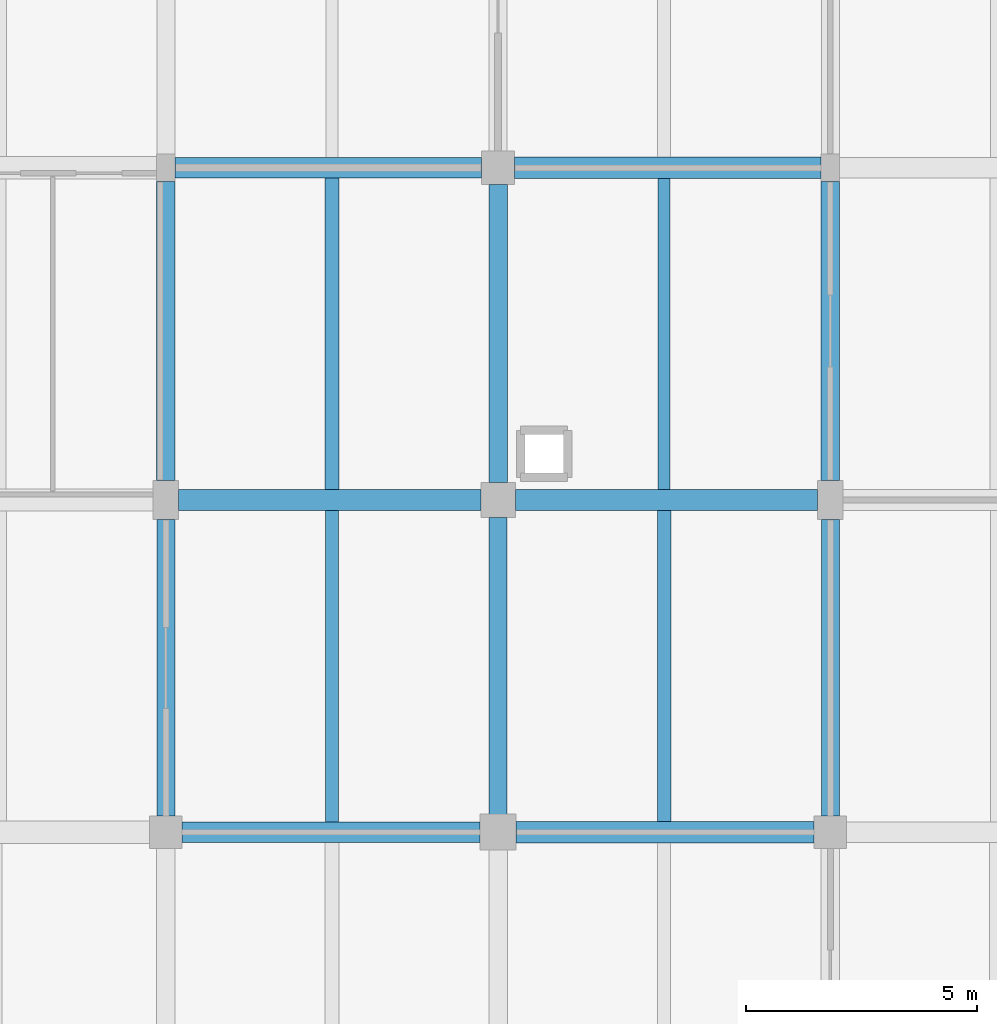
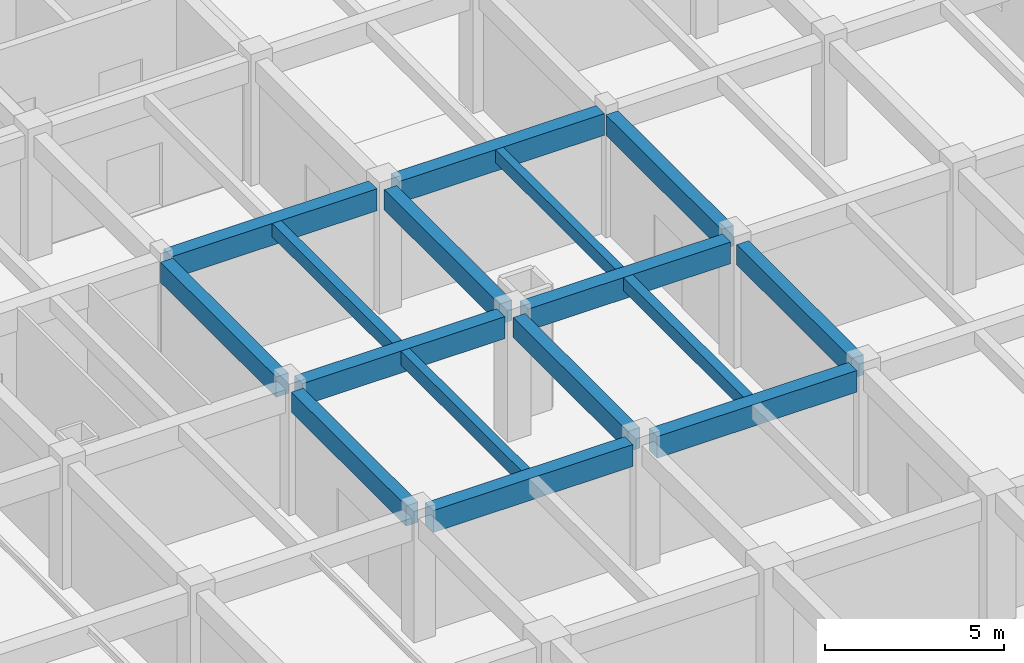
# One storey, part 107 of 171: 16 beams.
"""IFC4 building model written with IfcOpenShell, lengths in metres."""

from ifc_helpers import new_model, si_unit, direction, frame, origin, origin_2d, place, context, subcontext, project, spatial, rectangle, extrude, material, material_profile, profile_set, type_object, element, save


model = new_model("IFC4")

# Units and contexts
model_context = context("Model", 3, precision=1e-05, world=origin(), true_north=direction((0.0, 1.0)))
body_context = subcontext(model_context, "Body", "Model", "MODEL_VIEW")
ifc_project = project(units=[si_unit("LENGTHUNIT", "METRE"), si_unit("AREAUNIT", "SQUARE_METRE"), si_unit("VOLUMEUNIT", "CUBIC_METRE"), si_unit("PLANEANGLEUNIT", "RADIAN"), si_unit("MASSUNIT", "GRAM", prefix="KILO")], contexts=[model_context])

# Site, building, storey
site_placement = place(None, origin())
site = spatial("IfcSite", under=ifc_project, at=site_placement, CompositionType="ELEMENT")
building_placement = place(site_placement, origin())
building = spatial("IfcBuilding", under=site, at=building_placement, Name="Thalmaran Polytechnic", CompositionType="ELEMENT")
storey_placement = place(building_placement, frame((0.0, 0.0, 5.39990234375)))
storey = spatial("IfcBuildingStorey", under=building, at=storey_placement, Name="L01", CompositionType="ELEMENT", Elevation=5.39990234375)

# Beams
ifc_material = material(Name="Concrete C40/50", Category="concrete")
ifc_material_profile_1 = material_profile(ifc_material, rectangle(XDim=0.449951171875, YDim=0.75, at=origin_2d()), Name="RC 450x750")
ifc_profile_set_1 = profile_set([ifc_material_profile_1], Name="Concrete C40/50")
beam_type_1 = type_object("IfcBeamType", Name="BM-RC03", PredefinedType="BEAM", material=ifc_profile_set_1)
beam_1_placement = place(storey_placement, frame((144.35009765625, 64.800048828125, 3.835205078125), z_axis=(1.0, 0.0, 0.0), x_axis=(0.0, 1.0, 0.0)))
element("IfcBeam", 1, at=beam_1_placement, inside=storey, type_object=beam_type_1, Name="Grid Beam B03 L01 X(20,9)", PredefinedType="BEAM", context=body_context, shape_type="SweptSolid", body=[
    extrude(rectangle(XDim=0.449951171875, YDim=0.75, at=origin_2d()), origin(), (0.0, 0.0, 1.0), 6.4599609375),
])
beam_2_placement = place(storey_placement, frame((144.27490234375, 72.0, 3.835205078125), z_axis=(1.0, 0.0, 0.0), x_axis=(0.0, 1.0, 0.0)))
element("IfcBeam", 2, at=beam_2_placement, inside=storey, type_object=beam_type_1, Name="Grid Beam B03 L01 X(20,10)", PredefinedType="BEAM", context=body_context, shape_type="SweptSolid", body=[
    extrude(rectangle(XDim=0.449951171875, YDim=0.75, at=origin_2d()), origin(), (0.0, 0.0, 1.0), 6.550048828125),
])
beam_3_placement = place(storey_placement, frame((144.199951171875, 79.199951171875, 3.835205078125), z_axis=(1.0, 0.0, 0.0), x_axis=(0.0, 1.0, 0.0)))
element("IfcBeam", 3, at=beam_3_placement, inside=storey, type_object=beam_type_1, Name="Grid Beam B03 L01 X(20,11)", PredefinedType="BEAM", context=body_context, shape_type="SweptSolid", body=[
    extrude(rectangle(XDim=0.449951171875, YDim=0.75, at=origin_2d()), origin(), (0.0, 0.0, 1.0), 6.64013671875),
])
ifc_material_profile_2 = material_profile(ifc_material, rectangle(XDim=0.389892578125, YDim=0.68994140625, at=origin_2d()), Name="RC 390x690")
ifc_profile_set_2 = profile_set([ifc_material_profile_2], Name="Concrete C40/50")
beam_type_2 = type_object("IfcBeamType", Name="BM-RC09", PredefinedType="BEAM", material=ifc_profile_set_2)
beam_4_placement = place(storey_placement, frame((144.0, 65.14990234375, 3.864990234375), z_axis=(0.0, 1.0, 0.0), x_axis=(-1.0, 0.0, 0.0)))
element("IfcBeam", 4, at=beam_4_placement, inside=storey, type_object=beam_type_2, Name="Grid Beam B09 L01 Y(20,9)", PredefinedType="BEAM", context=body_context, shape_type="SweptSolid", body=[
    extrude(rectangle(XDim=0.389892578125, YDim=0.68994140625, at=origin_2d()), origin(), (0.0, 0.0, 1.0), 6.425048828125),
])
beam_5_placement = place(storey_placement, frame((151.199951171875, 65.18994140625, 3.864990234375), z_axis=(0.0, 1.0, 0.0), x_axis=(-1.0, 0.0, 0.0)))
element("IfcBeam", 5, at=beam_5_placement, inside=storey, type_object=beam_type_2, Name="Grid Beam B09 L01 Y(21,9)", PredefinedType="BEAM", context=body_context, shape_type="SweptSolid", body=[
    extrude(rectangle(XDim=0.389892578125, YDim=0.68994140625, at=origin_2d()), origin(), (0.0, 0.0, 1.0), 6.43505859375),
])
beam_6_placement = place(storey_placement, frame((158.39990234375, 65.14990234375, 3.864990234375), z_axis=(0.0, 1.0, 0.0), x_axis=(-1.0, 0.0, 0.0)))
element("IfcBeam", 6, at=beam_6_placement, inside=storey, type_object=beam_type_2, Name="Grid Beam B09 L01 Y(22,9)", PredefinedType="BEAM", context=body_context, shape_type="SweptSolid", body=[
    extrude(rectangle(XDim=0.389892578125, YDim=0.68994140625, at=origin_2d()), origin(), (0.0, 0.0, 1.0), 6.425048828125),
])
ifc_material_profile_3 = material_profile(ifc_material, rectangle(XDim=0.300048828125, YDim=0.449951171875, at=origin_2d()), Name="RC 300x450")
ifc_profile_set_3 = profile_set([ifc_material_profile_3], Name="Concrete C40/50")
beam_type_3 = type_object("IfcBeamType", Name="BM-RC12", PredefinedType="JOIST", material=ifc_profile_set_3)
beam_7_placement = place(storey_placement, frame((147.60009765625, 72.22509765625, 3.985107421875), z_axis=(0.0, 1.0, 0.0), x_axis=(-1.0, 0.0, 0.0)))
element("IfcBeam", 7, at=beam_7_placement, inside=storey, type_object=beam_type_3, Name="Secondary Floor Rib RB02 L01 (20,10)", PredefinedType="JOIST", context=body_context, shape_type="SweptSolid", body=[
    extrude(rectangle(XDim=0.300048828125, YDim=0.449951171875, at=origin_2d()), origin(), (0.0, 0.0, 1.0), 6.75),
])
beam_8_placement = place(storey_placement, frame((154.800048828125, 65.030029296875, 3.985107421875), z_axis=(0.0, 1.0, 0.0), x_axis=(-1.0, 0.0, 0.0)))
element("IfcBeam", 8, at=beam_8_placement, inside=storey, type_object=beam_type_3, Name="Secondary Floor Rib RB02 L01 (21,9)", PredefinedType="JOIST", context=body_context, shape_type="SweptSolid", body=[
    extrude(rectangle(XDim=0.300048828125, YDim=0.449951171875, at=origin_2d()), origin(), (0.0, 0.0, 1.0), 6.739990234375),
])
ifc_material_profile_4 = material_profile(ifc_material, rectangle(XDim=0.4599609375, YDim=0.739990234375, at=origin_2d()), Name="RC 460x740")
ifc_profile_set_4 = profile_set([ifc_material_profile_4], Name="Concrete C40/50")
beam_type_4 = type_object("IfcBeamType", Name="BM-ZB02", PredefinedType="BEAM", material=ifc_profile_set_4)
beam_9_placement = place(storey_placement, frame((151.590087890625, 64.800048828125, 3.840087890625), z_axis=(1.0, 0.0, 0.0), x_axis=(0.0, 1.0, 0.0)))
element("IfcBeam", 9, at=beam_9_placement, inside=storey, type_object=beam_type_4, Name="Grid Beam ZB02 L01 X(21,9)", PredefinedType="BEAM", context=body_context, shape_type="SweptSolid", body=[
    extrude(rectangle(XDim=0.4599609375, YDim=0.739990234375, at=origin_2d()), origin(), (0.0, 0.0, 1.0), 6.4599609375),
])
beam_10_placement = place(storey_placement, frame((151.574951171875, 72.0, 3.840087890625), z_axis=(1.0, 0.0, 0.0), x_axis=(0.0, 1.0, 0.0)))
element("IfcBeam", 10, at=beam_10_placement, inside=storey, type_object=beam_type_4, Name="Grid Beam ZB02 L01 X(21,10)", PredefinedType="BEAM", context=body_context, shape_type="SweptSolid", body=[
    extrude(rectangle(XDim=0.4599609375, YDim=0.739990234375, at=origin_2d()), origin(), (0.0, 0.0, 1.0), 6.550048828125),
])
beam_11_placement = place(storey_placement, frame((151.56005859375, 79.199951171875, 3.840087890625), z_axis=(1.0, 0.0, 0.0), x_axis=(0.0, 1.0, 0.0)))
element("IfcBeam", 11, at=beam_11_placement, inside=storey, type_object=beam_type_4, Name="Grid Beam ZB02 L01 X(21,11)", PredefinedType="BEAM", context=body_context, shape_type="SweptSolid", body=[
    extrude(rectangle(XDim=0.4599609375, YDim=0.739990234375, at=origin_2d()), origin(), (0.0, 0.0, 1.0), 6.639892578125),
])
ifc_material_profile_5 = material_profile(ifc_material, rectangle(XDim=0.39990234375, YDim=0.695068359375, at=origin_2d()), Name="RC 400x695")
ifc_profile_set_5 = profile_set([ifc_material_profile_5], Name="Concrete C40/50")
beam_type_5 = type_object("IfcBeamType", Name="BM-ZB08", PredefinedType="BEAM", material=ifc_profile_set_5)
beam_12_placement = place(storey_placement, frame((144.0, 72.425048828125, 3.862548828125), z_axis=(0.0, 1.0, 0.0), x_axis=(-1.0, 0.0, 0.0)))
element("IfcBeam", 12, at=beam_12_placement, inside=storey, type_object=beam_type_5, Name="Grid Beam ZB08 L01 Y(20,10)", PredefinedType="BEAM", context=body_context, shape_type="SweptSolid", body=[
    extrude(rectangle(XDim=0.39990234375, YDim=0.695068359375, at=origin_2d()), origin(), (0.0, 0.0, 1.0), 6.474853515625),
])
beam_13_placement = place(storey_placement, frame((151.199951171875, 72.375, 3.862548828125), z_axis=(0.0, 1.0, 0.0), x_axis=(-1.0, 0.0, 0.0)))
element("IfcBeam", 13, at=beam_13_placement, inside=storey, type_object=beam_type_5, Name="Grid Beam ZB08 L01 Y(21,10)", PredefinedType="BEAM", context=body_context, shape_type="SweptSolid", body=[
    extrude(rectangle(XDim=0.39990234375, YDim=0.695068359375, at=origin_2d()), origin(), (0.0, 0.0, 1.0), 6.465087890625),
])
beam_14_placement = place(storey_placement, frame((158.39990234375, 72.425048828125, 3.862548828125), z_axis=(0.0, 1.0, 0.0), x_axis=(-1.0, 0.0, 0.0)))
element("IfcBeam", 14, at=beam_14_placement, inside=storey, type_object=beam_type_5, Name="Grid Beam ZB08 L01 Y(22,10)", PredefinedType="BEAM", context=body_context, shape_type="SweptSolid", body=[
    extrude(rectangle(XDim=0.39990234375, YDim=0.695068359375, at=origin_2d()), origin(), (0.0, 0.0, 1.0), 6.474853515625),
])
ifc_material_profile_6 = material_profile(ifc_material, rectangle(XDim=0.280029296875, YDim=0.47998046875, at=origin_2d()), Name="RC 280x480")
ifc_profile_set_6 = profile_set([ifc_material_profile_6], Name="Concrete C40/50")
beam_type_6 = type_object("IfcBeamType", Name="BM-ZJ01", PredefinedType="JOIST", material=ifc_profile_set_6)
beam_15_placement = place(storey_placement, frame((147.60009765625, 65.02490234375, 3.97021484375), z_axis=(0.0, 1.0, 0.0), x_axis=(-1.0, 0.0, 0.0)))
element("IfcBeam", 15, at=beam_15_placement, inside=storey, type_object=beam_type_6, Name="Secondary Floor Rib ZJ01 L01 (20,9)", PredefinedType="JOIST", context=body_context, shape_type="SweptSolid", body=[
    extrude(rectangle(XDim=0.280029296875, YDim=0.47998046875, at=origin_2d()), origin(), (0.0, 0.0, 1.0), 6.75),
])
ifc_material_profile_7 = material_profile(ifc_material, rectangle(XDim=0.260009765625, YDim=0.43994140625, at=origin_2d()), Name="RC 260x440")
ifc_profile_set_7 = profile_set([ifc_material_profile_7], Name="Concrete C40/50")
beam_type_7 = type_object("IfcBeamType", Name="BM-ZJ02", PredefinedType="JOIST", material=ifc_profile_set_7)
beam_16_placement = place(storey_placement, frame((154.800048828125, 72.22998046875, 3.989990234375), z_axis=(0.0, 1.0, 0.0), x_axis=(-1.0, 0.0, 0.0)))
element("IfcBeam", 16, at=beam_16_placement, inside=storey, type_object=beam_type_7, Name="Secondary Floor Rib ZJ02 L01 (21,10)", PredefinedType="JOIST", context=body_context, shape_type="SweptSolid", body=[
    extrude(rectangle(XDim=0.260009765625, YDim=0.43994140625, at=origin_2d()), origin(), (0.0, 0.0, 1.0), 6.739990234375),
])

save(model, "model.ifc")
